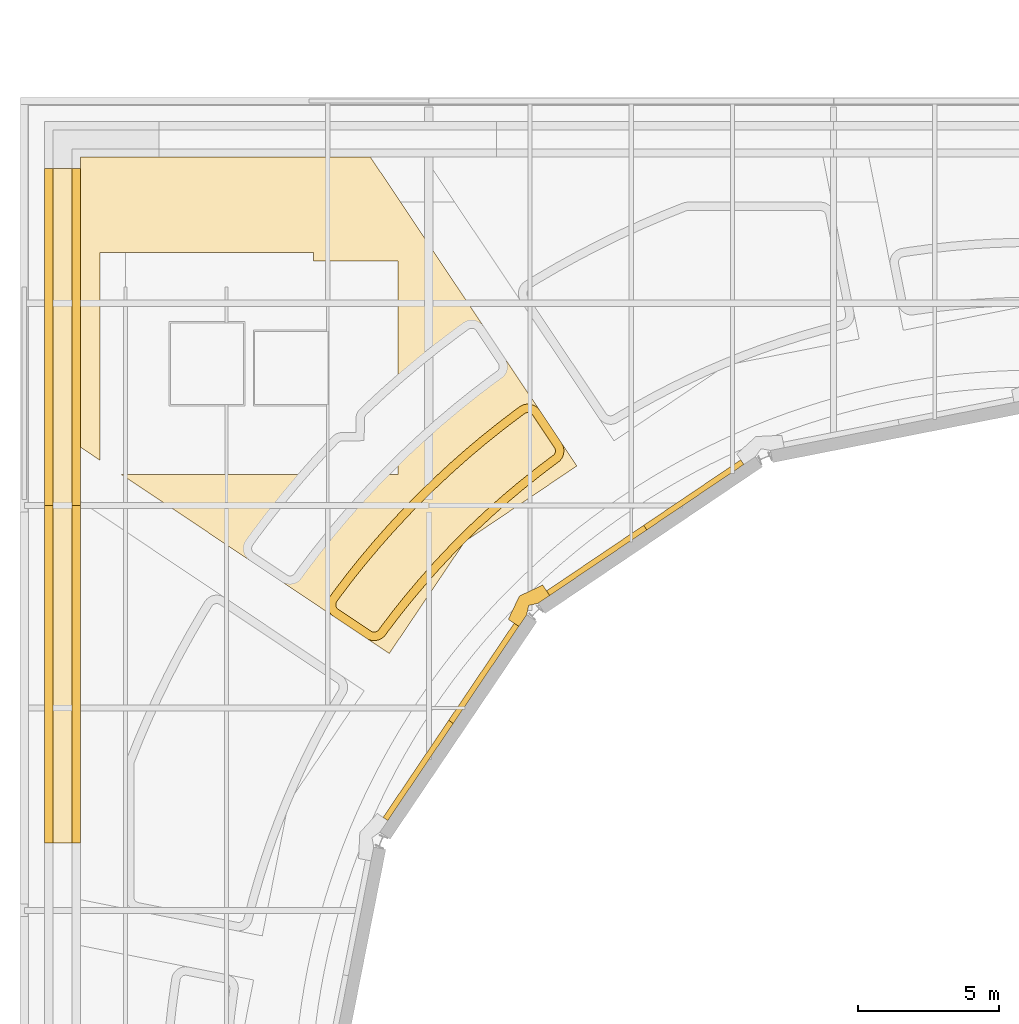
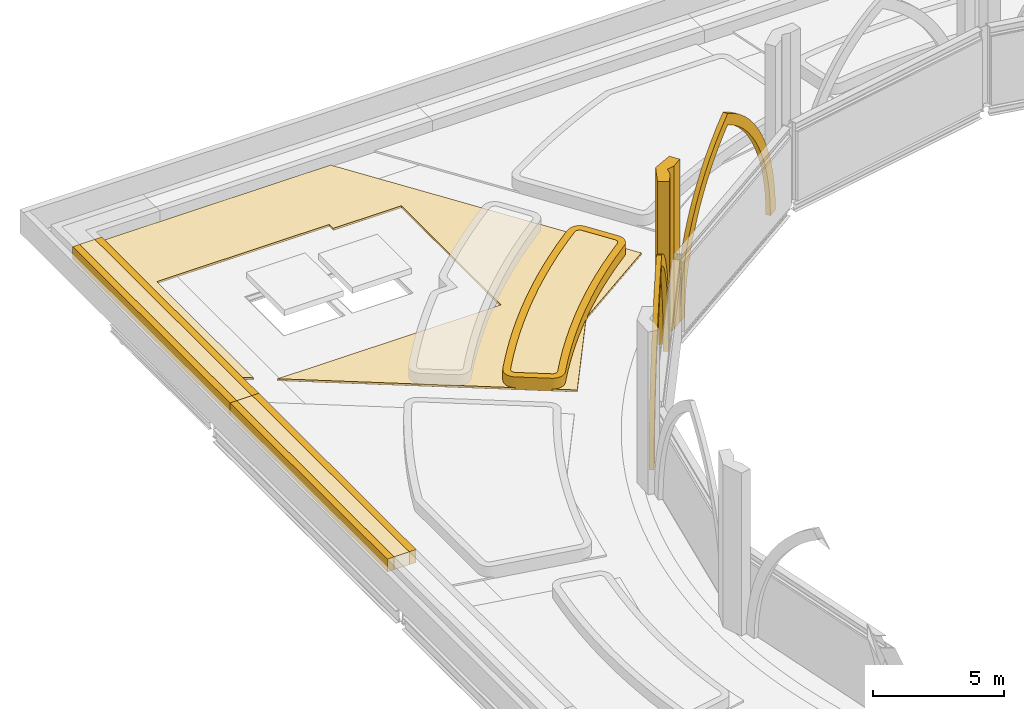
# One storey, part 94 of 110: 12 coverings.
"""IFC4 building model written with IfcOpenShell, lengths in metres."""

from ifc_helpers import new_model, si_unit, direction, frame, origin, place, context, subcontext, project, spatial, polyline, outline, extrude, material, layer, layer_set, type_object, element, save


model = new_model("IFC4")

# Units and contexts
model_context = context("Model", 3, precision=1e-05, world=origin(), true_north=direction((0.0, 1.0)))
body_context = subcontext(model_context, "Body", "Model", "MODEL_VIEW")
ifc_project = project(units=[si_unit("LENGTHUNIT", "METRE"), si_unit("AREAUNIT", "SQUARE_METRE"), si_unit("VOLUMEUNIT", "CUBIC_METRE"), si_unit("PLANEANGLEUNIT", "RADIAN"), si_unit("MASSUNIT", "GRAM", prefix="KILO")], contexts=[model_context])

# Site, building, storey
site_placement = place(None, origin())
site = spatial("IfcSite", under=ifc_project, at=site_placement, CompositionType="ELEMENT")
building_placement = place(site_placement, origin())
building = spatial("IfcBuilding", under=site, at=building_placement, Name="Kupolbacken Congress Centre", CompositionType="ELEMENT")
storey_placement = place(building_placement, frame((0.0, 0.0, 18.0)))
storey = spatial("IfcBuildingStorey", under=building, at=storey_placement, Name="L05", CompositionType="ELEMENT", Elevation=18.0)

# Coverings
ifc_material_1 = material(Name="Limestone cladding", Category="masonry")
ifc_layer_1 = layer(ifc_material_1, 0.60009765625)
ifc_layer_set_1 = layer_set([ifc_layer_1], Name="Limestone cladding")
covering_type_1 = type_object("IfcCoveringType", Name="CV5 limestone arcade pier 600", PredefinedType="CLADDING", material=ifc_layer_set_1)
covering_1_placement = place(storey_placement, origin())
element("IfcCovering", 1, at=covering_1_placement, inside=storey, type_object=covering_type_1, Name="Bed kerb, plenary wing roof", PredefinedType="CLADDING", context=body_context, shape_type="SweptSolid", body=[
    extrude(outline(polyline([(9.202392578125, 96.0), (8.902587890625, 96.0), (8.902587890625, 108.0), (9.202392578125, 108.0), (9.202392578125, 96.0)])), origin(), (0.0, 0.0, 1.0), 0.60009765625),
])
covering_2_placement = place(storey_placement, origin())
element("IfcCovering", 2, at=covering_2_placement, inside=storey, type_object=covering_type_1, Name="Bed kerb, plenary wing roof", PredefinedType="CLADDING", context=body_context, shape_type="SweptSolid", body=[
    extrude(outline(polyline([(7.929931640625, 108.0), (8.22998046875, 108.0), (8.22998046875, 96.0), (7.929931640625, 96.0), (7.929931640625, 108.0)])), origin(), (0.0, 0.0, 1.0), 0.60009765625),
])
covering_3_placement = place(storey_placement, origin())
element("IfcCovering", 3, at=covering_3_placement, inside=storey, type_object=covering_type_1, Name="Bed kerb, plenary wing roof", PredefinedType="CLADDING", context=body_context, shape_type="SweptSolid", body=[
    extrude(outline(polyline([(9.202392578125, 108.0), (8.902587890625, 108.0), (8.902587890625, 120.0), (9.202392578125, 120.0), (9.202392578125, 108.0)])), origin(), (0.0, 0.0, 1.0), 0.60009765625),
])
covering_4_placement = place(storey_placement, origin())
element("IfcCovering", 4, at=covering_4_placement, inside=storey, type_object=covering_type_1, Name="Bed kerb, plenary wing roof", PredefinedType="CLADDING", context=body_context, shape_type="SweptSolid", body=[
    extrude(outline(polyline([(7.929931640625, 120.0), (8.22998046875, 120.0), (8.22998046875, 108.0), (7.929931640625, 108.0), (7.929931640625, 120.0)])), origin(), (0.0, 0.0, 1.0), 0.60009765625),
])
covering_5_placement = place(storey_placement, origin())
element("IfcCovering", 5, at=covering_5_placement, inside=storey, type_object=covering_type_1, Name="Bed kerb, plenary wing roof", PredefinedType="CLADDING", context=body_context, shape_type="SweptSolid", body=[
    extrude(outline(polyline([(26.089111328125, 109.466064453125), (25.533203125, 109.04296875), (25.5283203125, 109.039306640625), (24.982666015625, 108.6025390625), (24.97802734375, 108.5986328125), (24.443359375, 108.14892578125), (24.438720703125, 108.14501953125), (23.915283203125, 107.681884765625), (23.91064453125, 107.677978515625), (23.398681640625, 107.202392578125), (23.394287109375, 107.197998046875), (22.894287109375, 106.710205078125), (22.889892578125, 106.705810546875), (22.40185546875, 106.205810546875), (22.397705078125, 106.201171875), (21.922119140625, 105.689208984375), (21.91796875, 105.684814453125), (21.455078125, 105.161376953125), (21.451171875, 105.156494140625), (21.001220703125, 104.6220703125), (20.997314453125, 104.6171875), (20.560791015625, 104.07177734375), (20.556884765625, 104.06689453125), (20.1337890625, 103.5107421875), (20.130126953125, 103.505859375), (20.056884765625, 103.404296875), (20.027099609375, 103.366943359375), (19.99365234375, 103.33251953125), (19.95703125, 103.301513671875), (19.917724609375, 103.27392578125), (19.876220703125, 103.25048828125), (19.832275390625, 103.23095703125), (19.786865234375, 103.2158203125), (19.739990234375, 103.205078125), (19.692626953125, 103.198974609375), (19.644775390625, 103.197265625), (19.596923828125, 103.2001953125), (19.549560546875, 103.207763671875), (19.503173828125, 103.2197265625), (19.458251953125, 103.236083984375), (19.414794921875, 103.2568359375), (19.373779296875, 103.281494140625), (18.208984375, 104.059814453125), (18.168701171875, 104.089599609375), (18.1318359375, 104.12353515625), (18.09814453125, 104.160888671875), (18.068603515625, 104.201416015625), (18.043212890625, 104.244873046875), (18.0224609375, 104.29052734375), (18.006103515625, 104.337890625), (17.994873046875, 104.386962890625), (17.98828125, 104.436767578125), (17.987060546875, 104.487060546875), (17.99072265625, 104.537109375), (17.99951171875, 104.58642578125), (18.012939453125, 104.634765625), (18.031494140625, 104.681640625), (18.054443359375, 104.726318359375), (18.081787109375, 104.768310546875), (18.20068359375, 104.93310546875), (18.2080078125, 104.94287109375), (18.6630859375, 105.541015625), (18.670654296875, 105.55078125), (19.14013671875, 106.137451171875), (19.14794921875, 106.14697265625), (19.6318359375, 106.721923828125), (19.639892578125, 106.731201171875), (20.1376953125, 107.294189453125), (20.14599609375, 107.30322265625), (20.657470703125, 107.85400390625), (20.666015625, 107.86279296875), (21.190673828125, 108.400634765625), (21.199462890625, 108.4091796875), (21.7373046875, 108.93408203125), (21.74609375, 108.942626953125), (22.296630859375, 109.4541015625), (22.305908203125, 109.46240234375), (22.868896484375, 109.960205078125), (22.878173828125, 109.968017578125), (23.453125, 110.451904296875), (23.462646484375, 110.459716796875), (24.04931640625, 110.92919921875), (24.05908203125, 110.93701171875), (24.656982421875, 111.391845703125), (24.6669921875, 111.3994140625), (24.83154296875, 111.518310546875), (24.873779296875, 111.545654296875), (24.91845703125, 111.568603515625), (24.965087890625, 111.5869140625), (25.013427734375, 111.6005859375), (25.06298828125, 111.609375), (25.113037109375, 111.61279296875), (25.1630859375, 111.611572265625), (25.213134765625, 111.605224609375), (25.261962890625, 111.59375), (25.3095703125, 111.57763671875), (25.355224609375, 111.556640625), (25.3984375, 111.53125), (25.439208984375, 111.501708984375), (25.4765625, 111.46826171875), (25.51025390625, 111.43115234375), (25.540283203125, 111.390869140625), (26.318603515625, 110.22607421875), (26.34326171875, 110.18505859375), (26.36376953125, 110.141845703125), (26.380126953125, 110.0966796875), (26.39208984375, 110.05029296875), (26.399658203125, 110.003173828125), (26.402587890625, 109.955322265625), (26.401123046875, 109.907470703125), (26.394775390625, 109.85986328125), (26.384033203125, 109.813232421875), (26.368896484375, 109.767578125), (26.349609375, 109.723876953125), (26.325927734375, 109.68212890625), (26.298583984375, 109.642822265625), (26.267578125, 109.6064453125), (26.233154296875, 109.572998046875), (26.195556640625, 109.543212890625), (26.093994140625, 109.4697265625), (26.089111328125, 109.466064453125)]), holes=[polyline([(26.01416015625, 109.781982421875), (26.03466796875, 109.798583984375), (26.04833984375, 109.811767578125), (26.060791015625, 109.826416015625), (26.07177734375, 109.842041015625), (26.081298828125, 109.858642578125), (26.0888671875, 109.876220703125), (26.094970703125, 109.894287109375), (26.09912109375, 109.9130859375), (26.101806640625, 109.931884765625), (26.102294921875, 109.951171875), (26.101318359375, 109.97021484375), (26.09814453125, 109.989013671875), (26.093505859375, 110.007568359375), (26.0869140625, 110.025634765625), (26.07861328125, 110.04296875), (26.06494140625, 110.0654296875), (25.294921875, 111.218017578125), (25.278564453125, 111.239990234375), (25.264892578125, 111.2548828125), (25.25, 111.268310546875), (25.23388671875, 111.280029296875), (25.216552734375, 111.290283203125), (25.198486328125, 111.298583984375), (25.179443359375, 111.304931640625), (25.159912109375, 111.3095703125), (25.139892578125, 111.31201171875), (25.1201171875, 111.3125), (25.10009765625, 111.311279296875), (25.080078125, 111.3076171875), (25.060791015625, 111.30224609375), (25.042236328125, 111.294921875), (25.0244140625, 111.285888671875), (25.001220703125, 111.270751953125), (24.84423828125, 111.1572265625), (24.83740234375, 111.152099609375), (24.2421875, 110.69921875), (24.2353515625, 110.694091796875), (23.651611328125, 110.226806640625), (23.64501953125, 110.22119140625), (23.072509765625, 109.73974609375), (23.066162109375, 109.734130859375), (22.505859375, 109.23876953125), (22.49951171875, 109.23291015625), (21.95166015625, 108.72412109375), (21.9453125, 108.718017578125), (21.41015625, 108.19580078125), (21.404052734375, 108.189697265625), (20.8818359375, 107.654541015625), (20.8759765625, 107.648193359375), (20.366943359375, 107.100341796875), (20.361083984375, 107.093994140625), (19.86572265625, 106.533935546875), (19.860107421875, 106.52734375), (19.37890625, 105.955078125), (19.373291015625, 105.948486328125), (18.906005859375, 105.36474609375), (18.900634765625, 105.35791015625), (18.447998046875, 104.7626953125), (18.44287109375, 104.755859375), (18.3291015625, 104.5986328125), (18.314208984375, 104.57568359375), (18.30517578125, 104.5576171875), (18.297607421875, 104.5390625), (18.292236328125, 104.519775390625), (18.288818359375, 104.5), (18.287353515625, 104.47998046875), (18.287841796875, 104.4599609375), (18.29052734375, 104.440185546875), (18.294921875, 104.420654296875), (18.301513671875, 104.401611328125), (18.309814453125, 104.38330078125), (18.31982421875, 104.3662109375), (18.331787109375, 104.349853515625), (18.34521484375, 104.3349609375), (18.35986328125, 104.3212890625), (18.382080078125, 104.304931640625), (19.534423828125, 103.534912109375), (19.55712890625, 103.521484375), (19.574462890625, 103.51318359375), (19.59228515625, 103.506591796875), (19.61083984375, 103.501708984375), (19.6298828125, 103.498779296875), (19.64892578125, 103.49755859375), (19.66796875, 103.498291015625), (19.68701171875, 103.500732421875), (19.70556640625, 103.5048828125), (19.723876953125, 103.510986328125), (19.7412109375, 103.518798828125), (19.7578125, 103.5283203125), (19.773681640625, 103.539306640625), (19.7880859375, 103.551513671875), (19.801513671875, 103.565185546875), (19.81787109375, 103.5859375), (19.88818359375, 103.68310546875), (19.89404296875, 103.69091796875), (20.3193359375, 104.25), (20.325439453125, 104.2578125), (20.764404296875, 104.80615234375), (20.7705078125, 104.813720703125), (21.222900390625, 105.351318359375), (21.229248046875, 105.358642578125), (21.694580078125, 105.884765625), (21.701171875, 105.89208984375), (22.17919921875, 106.40673828125), (22.185791015625, 106.413818359375), (22.676513671875, 106.91650390625), (22.683349609375, 106.923583984375), (23.18603515625, 107.4140625), (23.193359375, 107.4208984375), (23.7080078125, 107.89892578125), (23.715087890625, 107.905517578125), (24.241455078125, 108.370849609375), (24.248779296875, 108.377197265625), (24.786376953125, 108.82958984375), (24.7939453125, 108.835693359375), (25.34228515625, 109.274658203125), (25.35009765625, 109.280517578125), (25.908935546875, 109.7060546875), (25.9169921875, 109.7119140625), (26.01416015625, 109.781982421875)])]), origin(), (0.0, 0.0, 1.0), 0.60009765625),
])
ifc_material_2 = material(Name="Limestone cladding", Category="masonry")
ifc_layer_2 = layer(ifc_material_2, 0.5)
ifc_layer_set_2 = layer_set([ifc_layer_2], Name="Limestone cladding")
covering_type_2 = type_object("IfcCoveringType", Name="CV8 limestone drum pier 500", PredefinedType="CLADDING", material=ifc_layer_set_2)
covering_6_placement = place(storey_placement, origin())
element("IfcCovering", 6, at=covering_6_placement, inside=storey, type_object=covering_type_2, Name="F/drum/pier-lo/13/0", PredefinedType="CLADDING", context=body_context, shape_type="SweptSolid", body=[
    extrude(outline(polyline([(25.64697265625, 105.1748046875), (24.818603515625, 104.781494140625), (24.425048828125, 103.953125), (24.798095703125, 103.701416015625), (25.077880859375, 104.11572265625), (25.15087890625, 104.44921875), (25.484130859375, 104.522216796875), (25.898681640625, 104.802001953125), (25.64697265625, 105.1748046875)])), origin(), (0.0, 0.0, 1.0), 7.60009765625),
])
ifc_material_3 = material(Name="Limestone cladding", Category="masonry")
ifc_layer_3 = layer(ifc_material_3, 0.199951171875)
ifc_layer_set_3 = layer_set([ifc_layer_3], Name="Limestone cladding")
covering_type_3 = type_object("IfcCoveringType", Name="CV9 limestone drum arch frame 200", PredefinedType="CLADDING", material=ifc_layer_set_3)
covering_7_placement = place(storey_placement, frame((32.80517578125, 109.462890625, 0.0), z_axis=(-0.559385513106, 0.828907623157, 0.0), x_axis=(-0.828907623157, -0.559385513106, 0.0)))
element("IfcCovering", 7, at=covering_7_placement, inside=storey, type_object=covering_type_3, Name="F/drum/arch/wall/13", PredefinedType="CLADDING", context=body_context, shape_type="SweptSolid", body=[
    extrude(outline(polyline([(0.0, 0.0), (0.0234375, 0.615966796875), (0.09326171875, 1.228271484375), (0.20947265625, 1.833740234375), (0.37109375, 2.428466796875), (0.5771484375, 3.009521484375), (0.826904296875, 3.572998046875), (1.118408203125, 4.115966796875), (1.4501953125, 4.635498046875), (1.820556640625, 5.128173828125), (2.22705078125, 5.591552734375), (2.66748046875, 6.022705078125), (3.139404296875, 6.41943359375), (3.639892578125, 6.779296875), (4.166015625, 7.10009765625), (4.6923828125, 6.779296875), (5.19287109375, 6.41943359375), (5.664794921875, 6.022705078125), (6.105224609375, 5.591552734375), (6.51171875, 5.128173828125), (6.8818359375, 4.635498046875), (7.2138671875, 4.115966796875), (7.50537109375, 3.572998046875), (7.7548828125, 3.009521484375), (7.961181640625, 2.428466796875), (8.122802734375, 1.833740234375), (8.239013671875, 1.228271484375), (8.308837890625, 0.615966796875), (8.332275390625, 0.0), (7.882080078125, 0.0), (7.861572265625, 0.563720703125), (7.799560546875, 1.12451171875), (7.696533203125, 1.67919921875), (7.552978515625, 2.224853515625), (7.3701171875, 2.758544921875), (7.148193359375, 3.277099609375), (6.888916015625, 3.7783203125), (6.59375, 4.259033203125), (6.263916015625, 4.716796875), (5.901611328125, 5.149169921875), (5.50830078125, 5.5537109375), (5.08642578125, 5.92822265625), (4.63818359375, 6.27099609375), (4.166015625, 6.57958984375), (3.694091796875, 6.27099609375), (3.245849609375, 5.92822265625), (2.823974609375, 5.5537109375), (2.4306640625, 5.149169921875), (2.068359375, 4.716796875), (1.738525390625, 4.259033203125), (1.443115234375, 3.7783203125), (1.18408203125, 3.277099609375), (0.96240234375, 2.758544921875), (0.779296875, 2.224853515625), (0.6357421875, 1.67919921875), (0.53271484375, 1.12451171875), (0.470703125, 0.563720703125), (0.449951171875, 0.0), (0.0, 0.0)])), origin(), (0.0, 0.0, 1.0), 0.199951171875),
])
covering_8_placement = place(storey_placement, frame((24.798095703125, 103.701416015625, 0.0), z_axis=(-0.828907623157, 0.559385513106, 0.0), x_axis=(-0.559385513106, -0.828907623157, 0.0)))
element("IfcCovering", 8, at=covering_8_placement, inside=storey, type_object=covering_type_3, Name="F/drum/arch/wall/14", PredefinedType="CLADDING", context=body_context, shape_type="SweptSolid", body=[
    extrude(outline(polyline([(0.0, 0.0), (0.0234375, 0.615966796875), (0.09326171875, 1.228271484375), (0.20947265625, 1.833740234375), (0.37109375, 2.428466796875), (0.5771484375, 3.009521484375), (0.826904296875, 3.572998046875), (1.118408203125, 4.115966796875), (1.4501953125, 4.635498046875), (1.820556640625, 5.128173828125), (2.22705078125, 5.591552734375), (2.66748046875, 6.022705078125), (3.139404296875, 6.41943359375), (3.639892578125, 6.779296875), (4.166015625, 7.10009765625), (4.6923828125, 6.779296875), (5.19287109375, 6.41943359375), (5.664794921875, 6.022705078125), (6.105224609375, 5.591552734375), (6.51171875, 5.128173828125), (6.8818359375, 4.635498046875), (7.2138671875, 4.115966796875), (7.50537109375, 3.572998046875), (7.7548828125, 3.009521484375), (7.961181640625, 2.428466796875), (8.122802734375, 1.833740234375), (8.239013671875, 1.228271484375), (8.308837890625, 0.615966796875), (8.332275390625, 0.0), (7.882080078125, 0.0), (7.861572265625, 0.563720703125), (7.799560546875, 1.12451171875), (7.696533203125, 1.67919921875), (7.552978515625, 2.224853515625), (7.3701171875, 2.758544921875), (7.148193359375, 3.277099609375), (6.888916015625, 3.7783203125), (6.59375, 4.259033203125), (6.263916015625, 4.716796875), (5.901611328125, 5.149169921875), (5.50830078125, 5.5537109375), (5.08642578125, 5.92822265625), (4.63818359375, 6.27099609375), (4.166015625, 6.57958984375), (3.694091796875, 6.27099609375), (3.245849609375, 5.92822265625), (2.823974609375, 5.5537109375), (2.4306640625, 5.149169921875), (2.068359375, 4.716796875), (1.738525390625, 4.259033203125), (1.443115234375, 3.7783203125), (1.18408203125, 3.277099609375), (0.96240234375, 2.758544921875), (0.779296875, 2.224853515625), (0.6357421875, 1.67919921875), (0.53271484375, 1.12451171875), (0.470703125, 0.563720703125), (0.449951171875, 0.0), (0.0, 0.0)])), origin(), (0.0, 0.0, 1.0), 0.199951171875),
])
ifc_material_4 = material(Name="Grass", Category="soil")
ifc_layer_4 = layer(ifc_material_4, 0.10009765625)
ifc_layer_set_4 = layer_set([ifc_layer_4], Name="Grass")
covering_type_4 = type_object("IfcCoveringType", Name="GR2 grass surface 100", PredefinedType="FLOORING", material=ifc_layer_set_4)
covering_9_placement = place(storey_placement, origin())
element("IfcCovering", 9, at=covering_9_placement, inside=storey, type_object=covering_type_4, Name="Green roof, plenary wing roof", PredefinedType="FLOORING", context=body_context, shape_type="SweptSolid", body=[
    extrude(outline(polyline([(10.666259765625, 109.099609375), (12.8994140625, 109.099609375), (17.50048828125, 109.099609375), (20.50048828125, 109.099609375), (20.50048828125, 116.700439453125), (17.50048828125, 116.700439453125), (17.50048828125, 117.00048828125), (9.8994140625, 117.00048828125), (9.8994140625, 109.61181640625), (9.200439453125, 110.078857421875), (9.200439453125, 120.3994140625), (19.521240234375, 120.3994140625), (26.86328125, 109.41064453125), (22.878662109375, 106.721435546875), (20.189453125, 102.736572265625), (10.666259765625, 109.099609375)])), origin(), (0.0, 0.0, 1.0), 0.10009765625),
])
ifc_material_5 = material(Name="Planting substrate", Category="soil")
ifc_layer_5 = layer(ifc_material_5, 0.60009765625)
ifc_layer_set_5 = layer_set([ifc_layer_5], Name="Planting substrate")
covering_type_5 = type_object("IfcCoveringType", Name="GR8 planting substrate 600", PredefinedType="FLOORING", material=ifc_layer_set_5)
covering_10_placement = place(storey_placement, origin())
element("IfcCovering", 10, at=covering_10_placement, inside=storey, type_object=covering_type_5, Name="Planting bed, plenary wing roof", PredefinedType="FLOORING", context=body_context, shape_type="SweptSolid", body=[
    extrude(outline(polyline([(8.22998046875, 108.0), (8.902587890625, 108.0), (8.902587890625, 96.0), (8.22998046875, 96.0), (8.22998046875, 108.0)])), origin(), (0.0, 0.0, 1.0), 0.60009765625),
])
covering_11_placement = place(storey_placement, origin())
element("IfcCovering", 11, at=covering_11_placement, inside=storey, type_object=covering_type_5, Name="Planting bed, plenary wing roof", PredefinedType="FLOORING", context=body_context, shape_type="SweptSolid", body=[
    extrude(outline(polyline([(8.22998046875, 120.0), (8.902587890625, 120.0), (8.902587890625, 108.0), (8.22998046875, 108.0), (8.22998046875, 120.0)])), origin(), (0.0, 0.0, 1.0), 0.60009765625),
])
covering_12_placement = place(storey_placement, origin())
element("IfcCovering", 12, at=covering_12_placement, inside=storey, type_object=covering_type_5, Name="Planting bed, plenary wing roof", PredefinedType="FLOORING", context=body_context, shape_type="SweptSolid", body=[
    extrude(outline(polyline([(25.9169921875, 109.7119140625), (25.908935546875, 109.7060546875), (25.35009765625, 109.280517578125), (25.34228515625, 109.274658203125), (24.7939453125, 108.835693359375), (24.786376953125, 108.82958984375), (24.248779296875, 108.377197265625), (24.241455078125, 108.370849609375), (23.715087890625, 107.905517578125), (23.7080078125, 107.89892578125), (23.193359375, 107.4208984375), (23.18603515625, 107.4140625), (22.683349609375, 106.923583984375), (22.676513671875, 106.91650390625), (22.185791015625, 106.413818359375), (22.17919921875, 106.40673828125), (21.701171875, 105.89208984375), (21.694580078125, 105.884765625), (21.229248046875, 105.358642578125), (21.222900390625, 105.351318359375), (20.7705078125, 104.813720703125), (20.764404296875, 104.80615234375), (20.325439453125, 104.2578125), (20.3193359375, 104.25), (19.89404296875, 103.69091796875), (19.88818359375, 103.68310546875), (19.81787109375, 103.5859375), (19.801513671875, 103.565185546875), (19.7880859375, 103.551513671875), (19.773681640625, 103.539306640625), (19.7578125, 103.5283203125), (19.7412109375, 103.518798828125), (19.723876953125, 103.510986328125), (19.70556640625, 103.5048828125), (19.68701171875, 103.500732421875), (19.66796875, 103.498291015625), (19.64892578125, 103.49755859375), (19.6298828125, 103.498779296875), (19.61083984375, 103.501708984375), (19.59228515625, 103.506591796875), (19.574462890625, 103.51318359375), (19.55712890625, 103.521484375), (19.534423828125, 103.534912109375), (18.382080078125, 104.304931640625), (18.35986328125, 104.3212890625), (18.34521484375, 104.3349609375), (18.331787109375, 104.349853515625), (18.31982421875, 104.3662109375), (18.309814453125, 104.38330078125), (18.301513671875, 104.401611328125), (18.294921875, 104.420654296875), (18.29052734375, 104.440185546875), (18.287841796875, 104.4599609375), (18.287353515625, 104.47998046875), (18.288818359375, 104.5), (18.292236328125, 104.519775390625), (18.297607421875, 104.5390625), (18.30517578125, 104.5576171875), (18.314208984375, 104.57568359375), (18.3291015625, 104.5986328125), (18.44287109375, 104.755859375), (18.447998046875, 104.7626953125), (18.900634765625, 105.35791015625), (18.906005859375, 105.36474609375), (19.373291015625, 105.948486328125), (19.37890625, 105.955078125), (19.860107421875, 106.52734375), (19.86572265625, 106.533935546875), (20.361083984375, 107.093994140625), (20.366943359375, 107.100341796875), (20.8759765625, 107.648193359375), (20.8818359375, 107.654541015625), (21.404052734375, 108.189697265625), (21.41015625, 108.19580078125), (21.9453125, 108.718017578125), (21.95166015625, 108.72412109375), (22.49951171875, 109.23291015625), (22.505859375, 109.23876953125), (23.066162109375, 109.734130859375), (23.072509765625, 109.73974609375), (23.64501953125, 110.22119140625), (23.651611328125, 110.226806640625), (24.2353515625, 110.694091796875), (24.2421875, 110.69921875), (24.83740234375, 111.152099609375), (24.84423828125, 111.1572265625), (25.001220703125, 111.270751953125), (25.0244140625, 111.285888671875), (25.042236328125, 111.294921875), (25.060791015625, 111.30224609375), (25.080078125, 111.3076171875), (25.10009765625, 111.311279296875), (25.1201171875, 111.3125), (25.139892578125, 111.31201171875), (25.159912109375, 111.3095703125), (25.179443359375, 111.304931640625), (25.198486328125, 111.298583984375), (25.216552734375, 111.290283203125), (25.23388671875, 111.280029296875), (25.25, 111.268310546875), (25.264892578125, 111.2548828125), (25.278564453125, 111.239990234375), (25.294921875, 111.218017578125), (26.06494140625, 110.0654296875), (26.07861328125, 110.04296875), (26.0869140625, 110.025634765625), (26.093505859375, 110.007568359375), (26.09814453125, 109.989013671875), (26.101318359375, 109.97021484375), (26.102294921875, 109.951171875), (26.101806640625, 109.931884765625), (26.09912109375, 109.9130859375), (26.094970703125, 109.894287109375), (26.0888671875, 109.876220703125), (26.081298828125, 109.858642578125), (26.07177734375, 109.842041015625), (26.060791015625, 109.826416015625), (26.04833984375, 109.811767578125), (26.03466796875, 109.798583984375), (26.01416015625, 109.781982421875), (25.9169921875, 109.7119140625)])), origin(), (0.0, 0.0, 1.0), 0.60009765625),
])

save(model, "model.ifc")
